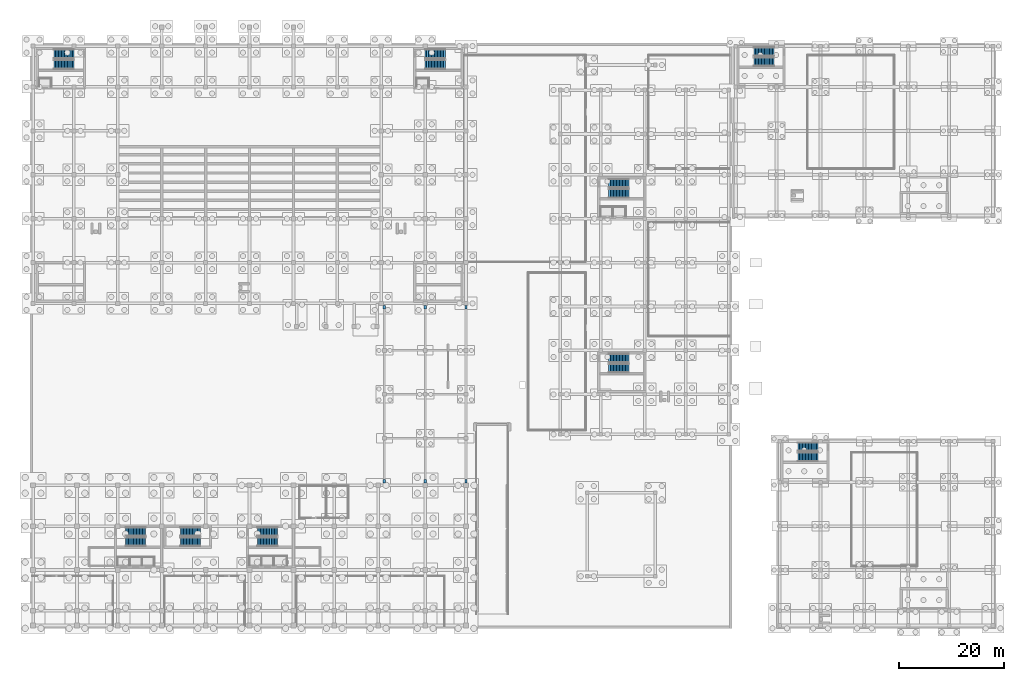
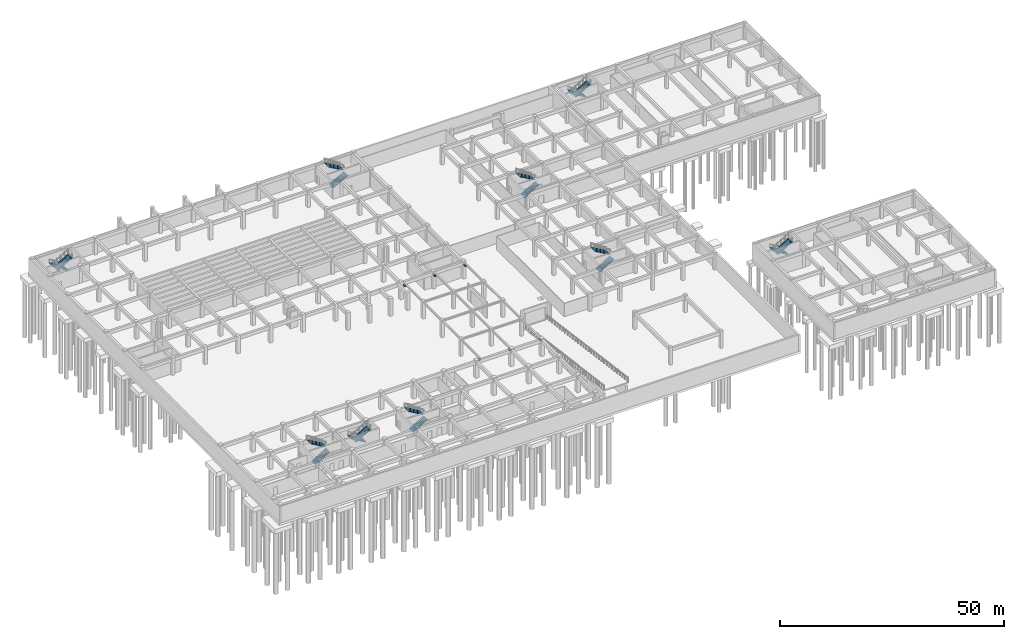
# One storey, part 26 of 35: 18 stair flights, 6 discrete accessories, 9 elements without a shape of their own.
"""IFC4 building model written with IfcOpenShell, lengths in metres."""

from ifc_helpers import new_model, si_unit, direction, frame, origin, origin_2d, place, context, subcontext, project, spatial, polyline, rectangle, outline, extrude, material, type_object, element, aggregate, save


model = new_model("IFC4")

# Units and contexts
model_context = context("Model", 3, precision=1e-05, world=origin(), true_north=direction((0.0, 1.0)))
body_context = subcontext(model_context, "Body", "Model", "MODEL_VIEW")
ifc_project = project(units=[si_unit("LENGTHUNIT", "METRE"), si_unit("AREAUNIT", "SQUARE_METRE"), si_unit("VOLUMEUNIT", "CUBIC_METRE"), si_unit("PLANEANGLEUNIT", "RADIAN"), si_unit("MASSUNIT", "GRAM", prefix="KILO")], contexts=[model_context])

# Site, building, storey
site_placement = place(None, origin())
site = spatial("IfcSite", under=ifc_project, at=site_placement, CompositionType="ELEMENT")
building_placement = place(site_placement, origin())
building = spatial("IfcBuilding", under=site, at=building_placement, Name="Zayran Congress Hotel", CompositionType="ELEMENT")
storey_placement = place(building_placement, frame((0.0, 0.0, -4.800048828125)))
storey = spatial("IfcBuildingStorey", under=building, at=storey_placement, Name="B1", CompositionType="ELEMENT", Elevation=-4.800048828125)

# Stair, stair flights
ifc_material_1 = material(Name="Concrete C32/40", Category="concrete")
stair_type_1 = type_object("IfcStairType", Name="TP-STR-1700-48", PredefinedType="USERDEFINED", material=ifc_material_1)
stair_1_placement = place(storey_placement, origin())
stair_1 = element("IfcStair", 1, at=stair_1_placement, inside=storey, type_object=stair_type_1, Name="B1 ST-01", ObjectType="TWO_RETURN_STAIR", PredefinedType="USERDEFINED")
stair_flight_type_1 = type_object("IfcStairFlightType", Name="TP-STF-1700-48", PredefinedType="STRAIGHT", material=ifc_material_1)
stair_flight_1_placement = place(storey_placement, frame((26.699951171875, 22.610107421875, 0.0), z_axis=(0.0, 0.0, 1.0), x_axis=(1.0, 0.0, 0.0)))
stair_flight_1 = element("IfcStairFlight", 2, at=stair_flight_1_placement, type_object=stair_flight_type_1, Name="ST-01 flight 1", NumberOfRisers=14, NumberOfTreads=13, PredefinedType="STRAIGHT", RiserHeight=0.17142857142857143, TreadLength=0.295, context=body_context, shape_type="SweptSolid", body=[
    extrude(outline(polyline([(0.0, 0.0), (0.0, 0.17138671875), (0.294921875, 0.17138671875), (0.294921875, 0.3427734375), (0.590087890625, 0.3427734375), (0.590087890625, 0.514404296875), (0.885009765625, 0.514404296875), (0.885009765625, 0.685791015625), (1.179931640625, 0.685791015625), (1.179931640625, 0.857177734375), (1.47509765625, 0.857177734375), (1.47509765625, 1.028564453125), (1.77001953125, 1.028564453125), (1.77001953125, 1.199951171875), (2.06494140625, 1.199951171875), (2.06494140625, 1.371337890625), (2.360107421875, 1.371337890625), (2.360107421875, 1.54296875), (2.655029296875, 1.54296875), (2.655029296875, 1.71435546875), (2.949951171875, 1.71435546875), (2.949951171875, 1.8857421875), (3.2451171875, 1.8857421875), (3.2451171875, 2.05712890625), (3.5400390625, 2.05712890625), (3.5400390625, 2.228515625), (3.8349609375, 2.228515625), (3.8349609375, 2.39990234375), (3.8349609375, 2.05517578125), (0.29833984375, 0.0), (0.0, 0.0)])), frame((0.0, 0.85009765625, 0.0), z_axis=(0.0, -1.0, 0.0), x_axis=(1.0, 0.0, 0.0)), (0.0, 0.0, 1.0), 1.699951171875),
])
stair_flight_2_placement = place(storey_placement, frame((30.534912109375, 24.550048828125, 2.400146484375), z_axis=(0.0, 0.0, 1.0), x_axis=(-1.0, 0.0, 0.0)))
stair_flight_2 = element("IfcStairFlight", 3, at=stair_flight_2_placement, type_object=stair_flight_type_1, Name="ST-01 flight 2", NumberOfRisers=14, NumberOfTreads=13, PredefinedType="STRAIGHT", RiserHeight=0.17142857142857143, TreadLength=0.295, context=body_context, shape_type="SweptSolid", body=[
    extrude(outline(polyline([(0.0, 0.0), (0.0, 0.17138671875), (0.294921875, 0.17138671875), (0.294921875, 0.3427734375), (0.590087890625, 0.3427734375), (0.590087890625, 0.514404296875), (0.885009765625, 0.514404296875), (0.885009765625, 0.685791015625), (1.179931640625, 0.685791015625), (1.179931640625, 0.857177734375), (1.47509765625, 0.857177734375), (1.47509765625, 1.028564453125), (1.77001953125, 1.028564453125), (1.77001953125, 1.199951171875), (2.06494140625, 1.199951171875), (2.06494140625, 1.371337890625), (2.360107421875, 1.371337890625), (2.360107421875, 1.54296875), (2.655029296875, 1.54296875), (2.655029296875, 1.71435546875), (2.949951171875, 1.71435546875), (2.949951171875, 1.8857421875), (3.2451171875, 1.8857421875), (3.2451171875, 2.05712890625), (3.5400390625, 2.05712890625), (3.5400390625, 2.228515625), (3.8349609375, 2.228515625), (3.8349609375, 2.39990234375), (3.8349609375, 2.05517578125), (0.29833984375, 0.0), (0.0, 0.0)])), frame((0.0, 0.85009765625, 0.0), z_axis=(0.0, -1.0, 0.0), x_axis=(1.0, 0.0, 0.0)), (0.0, 0.0, 1.0), 1.699951171875),
])
aggregate(stair_1, [stair_flight_1, stair_flight_2])

stair_2_placement = place(storey_placement, origin())
stair_2 = element("IfcStair", 4, at=stair_2_placement, inside=storey, type_object=stair_type_1, Name="B1 ST-02", ObjectType="TWO_RETURN_STAIR", PredefinedType="USERDEFINED")
stair_flight_3_placement = place(storey_placement, frame((51.89990234375, 22.610107421875, 0.0), z_axis=(0.0, 0.0, 1.0), x_axis=(1.0, 0.0, 0.0)))
stair_flight_3 = element("IfcStairFlight", 5, at=stair_flight_3_placement, type_object=stair_flight_type_1, Name="ST-02 flight 1", NumberOfRisers=14, NumberOfTreads=13, PredefinedType="STRAIGHT", RiserHeight=0.17142857142857143, TreadLength=0.295, context=body_context, shape_type="SweptSolid", body=[
    extrude(outline(polyline([(0.0, 0.0), (0.0, 0.17138671875), (0.294921875, 0.17138671875), (0.294921875, 0.3427734375), (0.590087890625, 0.3427734375), (0.590087890625, 0.514404296875), (0.885009765625, 0.514404296875), (0.885009765625, 0.685791015625), (1.179931640625, 0.685791015625), (1.179931640625, 0.857177734375), (1.47509765625, 0.857177734375), (1.47509765625, 1.028564453125), (1.77001953125, 1.028564453125), (1.77001953125, 1.199951171875), (2.06494140625, 1.199951171875), (2.06494140625, 1.371337890625), (2.360107421875, 1.371337890625), (2.360107421875, 1.54296875), (2.655029296875, 1.54296875), (2.655029296875, 1.71435546875), (2.949951171875, 1.71435546875), (2.949951171875, 1.8857421875), (3.2451171875, 1.8857421875), (3.2451171875, 2.05712890625), (3.5400390625, 2.05712890625), (3.5400390625, 2.228515625), (3.8349609375, 2.228515625), (3.8349609375, 2.39990234375), (3.8349609375, 2.05517578125), (0.29833984375, 0.0), (0.0, 0.0)])), frame((0.0, 0.85009765625, 0.0), z_axis=(0.0, -1.0, 0.0), x_axis=(1.0, 0.0, 0.0)), (0.0, 0.0, 1.0), 1.699951171875),
])
stair_flight_4_placement = place(storey_placement, frame((55.735107421875, 24.550048828125, 2.400146484375), z_axis=(0.0, 0.0, 1.0), x_axis=(-1.0, 0.0, 0.0)))
stair_flight_4 = element("IfcStairFlight", 6, at=stair_flight_4_placement, type_object=stair_flight_type_1, Name="ST-02 flight 2", NumberOfRisers=14, NumberOfTreads=13, PredefinedType="STRAIGHT", RiserHeight=0.17142857142857143, TreadLength=0.295, context=body_context, shape_type="SweptSolid", body=[
    extrude(outline(polyline([(0.0, 0.0), (0.0, 0.17138671875), (0.294921875, 0.17138671875), (0.294921875, 0.3427734375), (0.590087890625, 0.3427734375), (0.590087890625, 0.514404296875), (0.885009765625, 0.514404296875), (0.885009765625, 0.685791015625), (1.179931640625, 0.685791015625), (1.179931640625, 0.857177734375), (1.47509765625, 0.857177734375), (1.47509765625, 1.028564453125), (1.77001953125, 1.028564453125), (1.77001953125, 1.199951171875), (2.06494140625, 1.199951171875), (2.06494140625, 1.371337890625), (2.360107421875, 1.371337890625), (2.360107421875, 1.54296875), (2.655029296875, 1.54296875), (2.655029296875, 1.71435546875), (2.949951171875, 1.71435546875), (2.949951171875, 1.8857421875), (3.2451171875, 1.8857421875), (3.2451171875, 2.05712890625), (3.5400390625, 2.05712890625), (3.5400390625, 2.228515625), (3.8349609375, 2.228515625), (3.8349609375, 2.39990234375), (3.8349609375, 2.05517578125), (0.29833984375, 0.0), (0.0, 0.0)])), frame((0.0, 0.85009765625, 0.0), z_axis=(0.0, -1.0, 0.0), x_axis=(1.0, 0.0, 0.0)), (0.0, 0.0, 1.0), 1.699951171875),
])
aggregate(stair_2, [stair_flight_3, stair_flight_4])

stair_3_placement = place(storey_placement, origin())
stair_3 = element("IfcStair", 7, at=stair_3_placement, inside=storey, type_object=stair_type_1, Name="B1 ST-13", ObjectType="TWO_RETURN_STAIR", PredefinedType="USERDEFINED")
stair_flight_5_placement = place(storey_placement, frame((41.0, 24.550048828125, 0.0), z_axis=(0.0, 0.0, 1.0), x_axis=(-1.0, 0.0, 0.0)))
stair_flight_5 = element("IfcStairFlight", 8, at=stair_flight_5_placement, type_object=stair_flight_type_1, Name="ST-13 flight 1", NumberOfRisers=14, NumberOfTreads=13, PredefinedType="STRAIGHT", RiserHeight=0.17142857142857143, TreadLength=0.295, context=body_context, shape_type="SweptSolid", body=[
    extrude(outline(polyline([(0.0, 0.0), (0.0, 0.17138671875), (0.294921875, 0.17138671875), (0.294921875, 0.3427734375), (0.590087890625, 0.3427734375), (0.590087890625, 0.514404296875), (0.885009765625, 0.514404296875), (0.885009765625, 0.685791015625), (1.179931640625, 0.685791015625), (1.179931640625, 0.857177734375), (1.47509765625, 0.857177734375), (1.47509765625, 1.028564453125), (1.77001953125, 1.028564453125), (1.77001953125, 1.199951171875), (2.06494140625, 1.199951171875), (2.06494140625, 1.371337890625), (2.360107421875, 1.371337890625), (2.360107421875, 1.54296875), (2.655029296875, 1.54296875), (2.655029296875, 1.71435546875), (2.949951171875, 1.71435546875), (2.949951171875, 1.8857421875), (3.2451171875, 1.8857421875), (3.2451171875, 2.05712890625), (3.5400390625, 2.05712890625), (3.5400390625, 2.228515625), (3.8349609375, 2.228515625), (3.8349609375, 2.39990234375), (3.8349609375, 2.05517578125), (0.29833984375, 0.0), (0.0, 0.0)])), frame((0.0, 0.85009765625, 0.0), z_axis=(0.0, -1.0, 0.0), x_axis=(1.0, 0.0, 0.0)), (0.0, 0.0, 1.0), 1.699951171875),
])
stair_flight_6_placement = place(storey_placement, frame((37.1650390625, 22.610107421875, 2.400146484375), z_axis=(0.0, 0.0, 1.0), x_axis=(1.0, 0.0, 0.0)))
stair_flight_6 = element("IfcStairFlight", 9, at=stair_flight_6_placement, type_object=stair_flight_type_1, Name="ST-13 flight 2", NumberOfRisers=14, NumberOfTreads=13, PredefinedType="STRAIGHT", RiserHeight=0.17142857142857143, TreadLength=0.295, context=body_context, shape_type="SweptSolid", body=[
    extrude(outline(polyline([(0.0, 0.0), (0.0, 0.17138671875), (0.294921875, 0.17138671875), (0.294921875, 0.3427734375), (0.590087890625, 0.3427734375), (0.590087890625, 0.514404296875), (0.885009765625, 0.514404296875), (0.885009765625, 0.685791015625), (1.179931640625, 0.685791015625), (1.179931640625, 0.857177734375), (1.47509765625, 0.857177734375), (1.47509765625, 1.028564453125), (1.77001953125, 1.028564453125), (1.77001953125, 1.199951171875), (2.06494140625, 1.199951171875), (2.06494140625, 1.371337890625), (2.360107421875, 1.371337890625), (2.360107421875, 1.54296875), (2.655029296875, 1.54296875), (2.655029296875, 1.71435546875), (2.949951171875, 1.71435546875), (2.949951171875, 1.8857421875), (3.2451171875, 1.8857421875), (3.2451171875, 2.05712890625), (3.5400390625, 2.05712890625), (3.5400390625, 2.228515625), (3.8349609375, 2.228515625), (3.8349609375, 2.39990234375), (3.8349609375, 2.05517578125), (0.29833984375, 0.0), (0.0, 0.0)])), frame((0.0, 0.85009765625, 0.0), z_axis=(0.0, -1.0, 0.0), x_axis=(1.0, 0.0, 0.0)), (0.0, 0.0, 1.0), 1.699951171875),
])
aggregate(stair_3, [stair_flight_5, stair_flight_6])

stair_4_placement = place(storey_placement, origin())
stair_4 = element("IfcStair", 10, at=stair_4_placement, inside=storey, type_object=stair_type_1, Name="B1 ST-07", ObjectType="TWO_RETURN_STAIR", PredefinedType="USERDEFINED")
stair_flight_7_placement = place(storey_placement, frame((119.10009765625, 89.2099609375, 0.0), z_axis=(0.0, 0.0, 1.0), x_axis=(1.0, 0.0, 0.0)))
stair_flight_7 = element("IfcStairFlight", 11, at=stair_flight_7_placement, type_object=stair_flight_type_1, Name="ST-07 flight 1", NumberOfRisers=14, NumberOfTreads=13, PredefinedType="STRAIGHT", RiserHeight=0.17142857142857143, TreadLength=0.295, context=body_context, shape_type="SweptSolid", body=[
    extrude(outline(polyline([(0.0, 0.0), (0.0, 0.17138671875), (0.294921875, 0.17138671875), (0.294921875, 0.3427734375), (0.590087890625, 0.3427734375), (0.590087890625, 0.514404296875), (0.885009765625, 0.514404296875), (0.885009765625, 0.685791015625), (1.179931640625, 0.685791015625), (1.179931640625, 0.857177734375), (1.47509765625, 0.857177734375), (1.47509765625, 1.028564453125), (1.77001953125, 1.028564453125), (1.77001953125, 1.199951171875), (2.06494140625, 1.199951171875), (2.06494140625, 1.371337890625), (2.360107421875, 1.371337890625), (2.360107421875, 1.54296875), (2.655029296875, 1.54296875), (2.655029296875, 1.71435546875), (2.949951171875, 1.71435546875), (2.949951171875, 1.8857421875), (3.2451171875, 1.8857421875), (3.2451171875, 2.05712890625), (3.5400390625, 2.05712890625), (3.5400390625, 2.228515625), (3.8349609375, 2.228515625), (3.8349609375, 2.39990234375), (3.8349609375, 2.05517578125), (0.29833984375, 0.0), (0.0, 0.0)])), frame((0.0, 0.85009765625, 0.0), z_axis=(0.0, -1.0, 0.0), x_axis=(1.0, 0.0, 0.0)), (0.0, 0.0, 1.0), 1.699951171875),
])
stair_flight_8_placement = place(storey_placement, frame((122.93505859375, 91.14990234375, 2.400146484375), z_axis=(0.0, 0.0, 1.0), x_axis=(-1.0, 0.0, 0.0)))
stair_flight_8 = element("IfcStairFlight", 12, at=stair_flight_8_placement, type_object=stair_flight_type_1, Name="ST-07 flight 2", NumberOfRisers=14, NumberOfTreads=13, PredefinedType="STRAIGHT", RiserHeight=0.17142857142857143, TreadLength=0.295, context=body_context, shape_type="SweptSolid", body=[
    extrude(outline(polyline([(0.0, 0.0), (0.0, 0.17138671875), (0.294921875, 0.17138671875), (0.294921875, 0.3427734375), (0.590087890625, 0.3427734375), (0.590087890625, 0.514404296875), (0.885009765625, 0.514404296875), (0.885009765625, 0.685791015625), (1.179931640625, 0.685791015625), (1.179931640625, 0.857177734375), (1.47509765625, 0.857177734375), (1.47509765625, 1.028564453125), (1.77001953125, 1.028564453125), (1.77001953125, 1.199951171875), (2.06494140625, 1.199951171875), (2.06494140625, 1.371337890625), (2.360107421875, 1.371337890625), (2.360107421875, 1.54296875), (2.655029296875, 1.54296875), (2.655029296875, 1.71435546875), (2.949951171875, 1.71435546875), (2.949951171875, 1.8857421875), (3.2451171875, 1.8857421875), (3.2451171875, 2.05712890625), (3.5400390625, 2.05712890625), (3.5400390625, 2.228515625), (3.8349609375, 2.228515625), (3.8349609375, 2.39990234375), (3.8349609375, 2.05517578125), (0.29833984375, 0.0), (0.0, 0.0)])), frame((0.0, 0.85009765625, 0.0), z_axis=(0.0, -1.0, 0.0), x_axis=(1.0, 0.0, 0.0)), (0.0, 0.0, 1.0), 1.699951171875),
])
aggregate(stair_4, [stair_flight_7, stair_flight_8])

stair_5_placement = place(storey_placement, origin())
stair_5 = element("IfcStair", 13, at=stair_5_placement, inside=storey, type_object=stair_type_1, Name="B1 ST-08", ObjectType="TWO_RETURN_STAIR", PredefinedType="USERDEFINED")
stair_flight_9_placement = place(storey_placement, frame((119.10009765625, 55.760009765625, 0.0), z_axis=(0.0, 0.0, 1.0), x_axis=(1.0, 0.0, 0.0)))
stair_flight_9 = element("IfcStairFlight", 14, at=stair_flight_9_placement, type_object=stair_flight_type_1, Name="ST-08 flight 1", NumberOfRisers=14, NumberOfTreads=13, PredefinedType="STRAIGHT", RiserHeight=0.17142857142857143, TreadLength=0.295, context=body_context, shape_type="SweptSolid", body=[
    extrude(outline(polyline([(0.0, 0.0), (0.0, 0.17138671875), (0.294921875, 0.17138671875), (0.294921875, 0.3427734375), (0.590087890625, 0.3427734375), (0.590087890625, 0.514404296875), (0.885009765625, 0.514404296875), (0.885009765625, 0.685791015625), (1.179931640625, 0.685791015625), (1.179931640625, 0.857177734375), (1.47509765625, 0.857177734375), (1.47509765625, 1.028564453125), (1.77001953125, 1.028564453125), (1.77001953125, 1.199951171875), (2.06494140625, 1.199951171875), (2.06494140625, 1.371337890625), (2.360107421875, 1.371337890625), (2.360107421875, 1.54296875), (2.655029296875, 1.54296875), (2.655029296875, 1.71435546875), (2.949951171875, 1.71435546875), (2.949951171875, 1.8857421875), (3.2451171875, 1.8857421875), (3.2451171875, 2.05712890625), (3.5400390625, 2.05712890625), (3.5400390625, 2.228515625), (3.8349609375, 2.228515625), (3.8349609375, 2.39990234375), (3.8349609375, 2.05517578125), (0.29833984375, 0.0), (0.0, 0.0)])), frame((0.0, 0.85009765625, 0.0), z_axis=(0.0, -1.0, 0.0), x_axis=(1.0, 0.0, 0.0)), (0.0, 0.0, 1.0), 1.699951171875),
])
stair_flight_10_placement = place(storey_placement, frame((122.93505859375, 57.699951171875, 2.400146484375), z_axis=(0.0, 0.0, 1.0), x_axis=(-1.0, 0.0, 0.0)))
stair_flight_10 = element("IfcStairFlight", 15, at=stair_flight_10_placement, type_object=stair_flight_type_1, Name="ST-08 flight 2", NumberOfRisers=14, NumberOfTreads=13, PredefinedType="STRAIGHT", RiserHeight=0.17142857142857143, TreadLength=0.295, context=body_context, shape_type="SweptSolid", body=[
    extrude(outline(polyline([(0.0, 0.0), (0.0, 0.17138671875), (0.294921875, 0.17138671875), (0.294921875, 0.3427734375), (0.590087890625, 0.3427734375), (0.590087890625, 0.514404296875), (0.885009765625, 0.514404296875), (0.885009765625, 0.685791015625), (1.179931640625, 0.685791015625), (1.179931640625, 0.857177734375), (1.47509765625, 0.857177734375), (1.47509765625, 1.028564453125), (1.77001953125, 1.028564453125), (1.77001953125, 1.199951171875), (2.06494140625, 1.199951171875), (2.06494140625, 1.371337890625), (2.360107421875, 1.371337890625), (2.360107421875, 1.54296875), (2.655029296875, 1.54296875), (2.655029296875, 1.71435546875), (2.949951171875, 1.71435546875), (2.949951171875, 1.8857421875), (3.2451171875, 1.8857421875), (3.2451171875, 2.05712890625), (3.5400390625, 2.05712890625), (3.5400390625, 2.228515625), (3.8349609375, 2.228515625), (3.8349609375, 2.39990234375), (3.8349609375, 2.05517578125), (0.29833984375, 0.0), (0.0, 0.0)])), frame((0.0, 0.85009765625, 0.0), z_axis=(0.0, -1.0, 0.0), x_axis=(1.0, 0.0, 0.0)), (0.0, 0.0, 1.0), 1.699951171875),
])
aggregate(stair_5, [stair_flight_9, stair_flight_10])

stair_6_placement = place(storey_placement, origin())
stair_6 = element("IfcStair", 16, at=stair_6_placement, inside=storey, type_object=stair_type_1, Name="B1 ST-09", ObjectType="TWO_RETURN_STAIR", PredefinedType="USERDEFINED")
stair_flight_11_placement = place(storey_placement, frame((150.699951171875, 116.35009765625, 0.0), z_axis=(0.0, 0.0, 1.0), x_axis=(-1.0, 0.0, 0.0)))
stair_flight_11 = element("IfcStairFlight", 17, at=stair_flight_11_placement, type_object=stair_flight_type_1, Name="ST-09 flight 1", NumberOfRisers=14, NumberOfTreads=13, PredefinedType="STRAIGHT", RiserHeight=0.17142857142857143, TreadLength=0.295, context=body_context, shape_type="SweptSolid", body=[
    extrude(outline(polyline([(0.0, 0.0), (0.0, 0.17138671875), (0.294921875, 0.17138671875), (0.294921875, 0.3427734375), (0.590087890625, 0.3427734375), (0.590087890625, 0.514404296875), (0.885009765625, 0.514404296875), (0.885009765625, 0.685791015625), (1.179931640625, 0.685791015625), (1.179931640625, 0.857177734375), (1.47509765625, 0.857177734375), (1.47509765625, 1.028564453125), (1.77001953125, 1.028564453125), (1.77001953125, 1.199951171875), (2.06494140625, 1.199951171875), (2.06494140625, 1.371337890625), (2.360107421875, 1.371337890625), (2.360107421875, 1.54296875), (2.655029296875, 1.54296875), (2.655029296875, 1.71435546875), (2.949951171875, 1.71435546875), (2.949951171875, 1.8857421875), (3.2451171875, 1.8857421875), (3.2451171875, 2.05712890625), (3.5400390625, 2.05712890625), (3.5400390625, 2.228515625), (3.8349609375, 2.228515625), (3.8349609375, 2.39990234375), (3.8349609375, 2.05517578125), (0.29833984375, 0.0), (0.0, 0.0)])), frame((0.0, 0.85009765625, 0.0), z_axis=(0.0, -1.0, 0.0), x_axis=(1.0, 0.0, 0.0)), (0.0, 0.0, 1.0), 1.699951171875),
])
stair_flight_12_placement = place(storey_placement, frame((146.864990234375, 114.409912109375, 2.400146484375), z_axis=(0.0, 0.0, 1.0), x_axis=(1.0, 0.0, 0.0)))
stair_flight_12 = element("IfcStairFlight", 18, at=stair_flight_12_placement, type_object=stair_flight_type_1, Name="ST-09 flight 2", NumberOfRisers=14, NumberOfTreads=13, PredefinedType="STRAIGHT", RiserHeight=0.17142857142857143, TreadLength=0.295, context=body_context, shape_type="SweptSolid", body=[
    extrude(outline(polyline([(0.0, 0.0), (0.0, 0.17138671875), (0.294921875, 0.17138671875), (0.294921875, 0.3427734375), (0.590087890625, 0.3427734375), (0.590087890625, 0.514404296875), (0.885009765625, 0.514404296875), (0.885009765625, 0.685791015625), (1.179931640625, 0.685791015625), (1.179931640625, 0.857177734375), (1.47509765625, 0.857177734375), (1.47509765625, 1.028564453125), (1.77001953125, 1.028564453125), (1.77001953125, 1.199951171875), (2.06494140625, 1.199951171875), (2.06494140625, 1.371337890625), (2.360107421875, 1.371337890625), (2.360107421875, 1.54296875), (2.655029296875, 1.54296875), (2.655029296875, 1.71435546875), (2.949951171875, 1.71435546875), (2.949951171875, 1.8857421875), (3.2451171875, 1.8857421875), (3.2451171875, 2.05712890625), (3.5400390625, 2.05712890625), (3.5400390625, 2.228515625), (3.8349609375, 2.228515625), (3.8349609375, 2.39990234375), (3.8349609375, 2.05517578125), (0.29833984375, 0.0), (0.0, 0.0)])), frame((0.0, 0.85009765625, 0.0), z_axis=(0.0, -1.0, 0.0), x_axis=(1.0, 0.0, 0.0)), (0.0, 0.0, 1.0), 1.699951171875),
])
aggregate(stair_6, [stair_flight_11, stair_flight_12])

stair_7_placement = place(storey_placement, origin())
stair_7 = element("IfcStair", 19, at=stair_7_placement, inside=storey, type_object=stair_type_1, Name="B1 ST-11", ObjectType="TWO_RETURN_STAIR", PredefinedType="USERDEFINED")
stair_flight_13_placement = place(storey_placement, frame((159.10009765625, 40.75, 0.0), z_axis=(0.0, 0.0, 1.0), x_axis=(-1.0, 0.0, 0.0)))
stair_flight_13 = element("IfcStairFlight", 20, at=stair_flight_13_placement, type_object=stair_flight_type_1, Name="ST-11 flight 1", NumberOfRisers=14, NumberOfTreads=13, PredefinedType="STRAIGHT", RiserHeight=0.17142857142857143, TreadLength=0.295, context=body_context, shape_type="SweptSolid", body=[
    extrude(outline(polyline([(0.0, 0.0), (0.0, 0.17138671875), (0.294921875, 0.17138671875), (0.294921875, 0.3427734375), (0.590087890625, 0.3427734375), (0.590087890625, 0.514404296875), (0.885009765625, 0.514404296875), (0.885009765625, 0.685791015625), (1.179931640625, 0.685791015625), (1.179931640625, 0.857177734375), (1.47509765625, 0.857177734375), (1.47509765625, 1.028564453125), (1.77001953125, 1.028564453125), (1.77001953125, 1.199951171875), (2.06494140625, 1.199951171875), (2.06494140625, 1.371337890625), (2.360107421875, 1.371337890625), (2.360107421875, 1.54296875), (2.655029296875, 1.54296875), (2.655029296875, 1.71435546875), (2.949951171875, 1.71435546875), (2.949951171875, 1.8857421875), (3.2451171875, 1.8857421875), (3.2451171875, 2.05712890625), (3.5400390625, 2.05712890625), (3.5400390625, 2.228515625), (3.8349609375, 2.228515625), (3.8349609375, 2.39990234375), (3.8349609375, 2.05517578125), (0.29833984375, 0.0), (0.0, 0.0)])), frame((0.0, 0.85009765625, 0.0), z_axis=(0.0, -1.0, 0.0), x_axis=(1.0, 0.0, 0.0)), (0.0, 0.0, 1.0), 1.699951171875),
])
stair_flight_14_placement = place(storey_placement, frame((155.264892578125, 38.81005859375, 2.400146484375), z_axis=(0.0, 0.0, 1.0), x_axis=(1.0, 0.0, 0.0)))
stair_flight_14 = element("IfcStairFlight", 21, at=stair_flight_14_placement, type_object=stair_flight_type_1, Name="ST-11 flight 2", NumberOfRisers=14, NumberOfTreads=13, PredefinedType="STRAIGHT", RiserHeight=0.17142857142857143, TreadLength=0.295, context=body_context, shape_type="SweptSolid", body=[
    extrude(outline(polyline([(0.0, 0.0), (0.0, 0.17138671875), (0.294921875, 0.17138671875), (0.294921875, 0.3427734375), (0.590087890625, 0.3427734375), (0.590087890625, 0.514404296875), (0.885009765625, 0.514404296875), (0.885009765625, 0.685791015625), (1.179931640625, 0.685791015625), (1.179931640625, 0.857177734375), (1.47509765625, 0.857177734375), (1.47509765625, 1.028564453125), (1.77001953125, 1.028564453125), (1.77001953125, 1.199951171875), (2.06494140625, 1.199951171875), (2.06494140625, 1.371337890625), (2.360107421875, 1.371337890625), (2.360107421875, 1.54296875), (2.655029296875, 1.54296875), (2.655029296875, 1.71435546875), (2.949951171875, 1.71435546875), (2.949951171875, 1.8857421875), (3.2451171875, 1.8857421875), (3.2451171875, 2.05712890625), (3.5400390625, 2.05712890625), (3.5400390625, 2.228515625), (3.8349609375, 2.228515625), (3.8349609375, 2.39990234375), (3.8349609375, 2.05517578125), (0.29833984375, 0.0), (0.0, 0.0)])), frame((0.0, 0.85009765625, 0.0), z_axis=(0.0, -1.0, 0.0), x_axis=(1.0, 0.0, 0.0)), (0.0, 0.0, 1.0), 1.699951171875),
])
aggregate(stair_7, [stair_flight_13, stair_flight_14])

stair_type_2 = type_object("IfcStairType", Name="TP-STR-1800-48", PredefinedType="USERDEFINED", material=ifc_material_1)
stair_8_placement = place(storey_placement, origin())
stair_8 = element("IfcStair", 22, at=stair_8_placement, inside=storey, type_object=stair_type_2, Name="B1 ST-03", ObjectType="TWO_RETURN_STAIR", PredefinedType="USERDEFINED")
stair_flight_type_2 = type_object("IfcStairFlightType", Name="TP-STF-1800-48", PredefinedType="STRAIGHT", material=ifc_material_1)
stair_flight_15_placement = place(storey_placement, frame((16.800048828125, 115.89990234375, 0.0), z_axis=(0.0, 0.0, 1.0), x_axis=(-1.0, 0.0, 0.0)))
stair_flight_15 = element("IfcStairFlight", 23, at=stair_flight_15_placement, type_object=stair_flight_type_2, Name="ST-03 flight 1", NumberOfRisers=14, NumberOfTreads=13, PredefinedType="STRAIGHT", RiserHeight=0.17142857142857143, TreadLength=0.295, context=body_context, shape_type="SweptSolid", body=[
    extrude(outline(polyline([(0.0, 0.0), (0.0, 0.17138671875), (0.294921875, 0.17138671875), (0.294921875, 0.3427734375), (0.590087890625, 0.3427734375), (0.590087890625, 0.514404296875), (0.885009765625, 0.514404296875), (0.885009765625, 0.685791015625), (1.179931640625, 0.685791015625), (1.179931640625, 0.857177734375), (1.47509765625, 0.857177734375), (1.47509765625, 1.028564453125), (1.77001953125, 1.028564453125), (1.77001953125, 1.199951171875), (2.06494140625, 1.199951171875), (2.06494140625, 1.371337890625), (2.360107421875, 1.371337890625), (2.360107421875, 1.54296875), (2.655029296875, 1.54296875), (2.655029296875, 1.71435546875), (2.949951171875, 1.71435546875), (2.949951171875, 1.8857421875), (3.2451171875, 1.8857421875), (3.2451171875, 2.05712890625), (3.5400390625, 2.05712890625), (3.5400390625, 2.228515625), (3.8349609375, 2.228515625), (3.8349609375, 2.39990234375), (3.8349609375, 2.05517578125), (0.29833984375, 0.0), (0.0, 0.0)])), frame((0.0, 0.89990234375, 0.0), z_axis=(0.0, -1.0, 0.0), x_axis=(1.0, 0.0, 0.0)), (0.0, 0.0, 1.0), 1.800048828125),
])
stair_flight_16_placement = place(storey_placement, frame((12.965087890625, 113.860107421875, 2.400146484375), z_axis=(0.0, 0.0, 1.0), x_axis=(1.0, 0.0, 0.0)))
stair_flight_16 = element("IfcStairFlight", 24, at=stair_flight_16_placement, type_object=stair_flight_type_2, Name="ST-03 flight 2", NumberOfRisers=14, NumberOfTreads=13, PredefinedType="STRAIGHT", RiserHeight=0.17142857142857143, TreadLength=0.295, context=body_context, shape_type="SweptSolid", body=[
    extrude(outline(polyline([(0.0, 0.0), (0.0, 0.17138671875), (0.294921875, 0.17138671875), (0.294921875, 0.3427734375), (0.590087890625, 0.3427734375), (0.590087890625, 0.514404296875), (0.885009765625, 0.514404296875), (0.885009765625, 0.685791015625), (1.179931640625, 0.685791015625), (1.179931640625, 0.857177734375), (1.47509765625, 0.857177734375), (1.47509765625, 1.028564453125), (1.77001953125, 1.028564453125), (1.77001953125, 1.199951171875), (2.06494140625, 1.199951171875), (2.06494140625, 1.371337890625), (2.360107421875, 1.371337890625), (2.360107421875, 1.54296875), (2.655029296875, 1.54296875), (2.655029296875, 1.71435546875), (2.949951171875, 1.71435546875), (2.949951171875, 1.8857421875), (3.2451171875, 1.8857421875), (3.2451171875, 2.05712890625), (3.5400390625, 2.05712890625), (3.5400390625, 2.228515625), (3.8349609375, 2.228515625), (3.8349609375, 2.39990234375), (3.8349609375, 2.05517578125), (0.29833984375, 0.0), (0.0, 0.0)])), frame((0.0, 0.89990234375, 0.0), z_axis=(0.0, -1.0, 0.0), x_axis=(1.0, 0.0, 0.0)), (0.0, 0.0, 1.0), 1.800048828125),
])
aggregate(stair_8, [stair_flight_15, stair_flight_16])

stair_9_placement = place(storey_placement, origin())
stair_9 = element("IfcStair", 25, at=stair_9_placement, inside=storey, type_object=stair_type_2, Name="B1 ST-04", ObjectType="TWO_RETURN_STAIR", PredefinedType="USERDEFINED")
stair_flight_17_placement = place(storey_placement, frame((84.0, 113.860107421875, 0.0), z_axis=(0.0, 0.0, 1.0), x_axis=(1.0, 0.0, 0.0)))
stair_flight_17 = element("IfcStairFlight", 26, at=stair_flight_17_placement, type_object=stair_flight_type_2, Name="ST-04 flight 1", NumberOfRisers=14, NumberOfTreads=13, PredefinedType="STRAIGHT", RiserHeight=0.17142857142857143, TreadLength=0.295, context=body_context, shape_type="SweptSolid", body=[
    extrude(outline(polyline([(0.0, 0.0), (0.0, 0.17138671875), (0.294921875, 0.17138671875), (0.294921875, 0.3427734375), (0.590087890625, 0.3427734375), (0.590087890625, 0.514404296875), (0.885009765625, 0.514404296875), (0.885009765625, 0.685791015625), (1.179931640625, 0.685791015625), (1.179931640625, 0.857177734375), (1.47509765625, 0.857177734375), (1.47509765625, 1.028564453125), (1.77001953125, 1.028564453125), (1.77001953125, 1.199951171875), (2.06494140625, 1.199951171875), (2.06494140625, 1.371337890625), (2.360107421875, 1.371337890625), (2.360107421875, 1.54296875), (2.655029296875, 1.54296875), (2.655029296875, 1.71435546875), (2.949951171875, 1.71435546875), (2.949951171875, 1.8857421875), (3.2451171875, 1.8857421875), (3.2451171875, 2.05712890625), (3.5400390625, 2.05712890625), (3.5400390625, 2.228515625), (3.8349609375, 2.228515625), (3.8349609375, 2.39990234375), (3.8349609375, 2.05517578125), (0.29833984375, 0.0), (0.0, 0.0)])), frame((0.0, 0.89990234375, 0.0), z_axis=(0.0, -1.0, 0.0), x_axis=(1.0, 0.0, 0.0)), (0.0, 0.0, 1.0), 1.800048828125),
])
stair_flight_18_placement = place(storey_placement, frame((87.8349609375, 115.89990234375, 2.400146484375), z_axis=(0.0, 0.0, 1.0), x_axis=(-1.0, 0.0, 0.0)))
stair_flight_18 = element("IfcStairFlight", 27, at=stair_flight_18_placement, type_object=stair_flight_type_2, Name="ST-04 flight 2", NumberOfRisers=14, NumberOfTreads=13, PredefinedType="STRAIGHT", RiserHeight=0.17142857142857143, TreadLength=0.295, context=body_context, shape_type="SweptSolid", body=[
    extrude(outline(polyline([(0.0, 0.0), (0.0, 0.17138671875), (0.294921875, 0.17138671875), (0.294921875, 0.3427734375), (0.590087890625, 0.3427734375), (0.590087890625, 0.514404296875), (0.885009765625, 0.514404296875), (0.885009765625, 0.685791015625), (1.179931640625, 0.685791015625), (1.179931640625, 0.857177734375), (1.47509765625, 0.857177734375), (1.47509765625, 1.028564453125), (1.77001953125, 1.028564453125), (1.77001953125, 1.199951171875), (2.06494140625, 1.199951171875), (2.06494140625, 1.371337890625), (2.360107421875, 1.371337890625), (2.360107421875, 1.54296875), (2.655029296875, 1.54296875), (2.655029296875, 1.71435546875), (2.949951171875, 1.71435546875), (2.949951171875, 1.8857421875), (3.2451171875, 1.8857421875), (3.2451171875, 2.05712890625), (3.5400390625, 2.05712890625), (3.5400390625, 2.228515625), (3.8349609375, 2.228515625), (3.8349609375, 2.39990234375), (3.8349609375, 2.05517578125), (0.29833984375, 0.0), (0.0, 0.0)])), frame((0.0, 0.89990234375, 0.0), z_axis=(0.0, -1.0, 0.0), x_axis=(1.0, 0.0, 0.0)), (0.0, 0.0, 1.0), 1.800048828125),
])
aggregate(stair_9, [stair_flight_17, stair_flight_18])

# Discrete accessories
ifc_material_2 = material(Name="Concrete C40/50", Category="concrete")
discrete_accessory_type = type_object("IfcDiscreteAccessoryType", Name="TP-CRB-650", PredefinedType="BRACKET", material=ifc_material_2)
for number, where, z_axis, x_axis, name in (
    (28, (76.199951171875, 34.14990234375, 3.679931640625), (0.0, 0.0, 1.0), (0.0, 1.0, 0.0), "Forecourt Gallery 700mm RC Corbel Seat 13"),
    (29, (76.199951171875, 67.449951171875, 3.679931640625), (0.0, 0.0, 1.0), (0.0, 1.0, 0.0), "Forecourt Gallery 700mm RC Corbel Seat 14"),
    (30, (84.0, 34.14990234375, 3.679931640625), (0.0, 0.0, 1.0), (0.0, 1.0, 0.0), "Forecourt Gallery 700mm RC Corbel Seat 15"),
    (31, (84.0, 67.449951171875, 3.679931640625), (0.0, 0.0, 1.0), (0.0, 1.0, 0.0), "Forecourt Gallery 700mm RC Corbel Seat 16"),
    (32, (91.800048828125, 34.14990234375, 3.679931640625), (0.0, 0.0, 1.0), (0.0, 1.0, 0.0), "Forecourt Gallery 700mm RC Corbel Seat 17"),
    (33, (91.800048828125, 67.449951171875, 3.679931640625), (0.0, 0.0, 1.0), (0.0, 1.0, 0.0), "Forecourt Gallery 700mm RC Corbel Seat 18"),
):
    element("IfcDiscreteAccessory", number, at=place(storey_placement, frame(where, z_axis=z_axis, x_axis=x_axis)), inside=storey, type_object=discrete_accessory_type, Name=name, PredefinedType="BRACKET", context=body_context, shape_type="SweptSolid", body=[
        extrude(rectangle(XDim=0.699951171875, YDim=0.449951171875, at=origin_2d()), origin(), (0.0, 0.0, 1.0), 0.35009765625),
    ])

save(model, "model.ifc")
